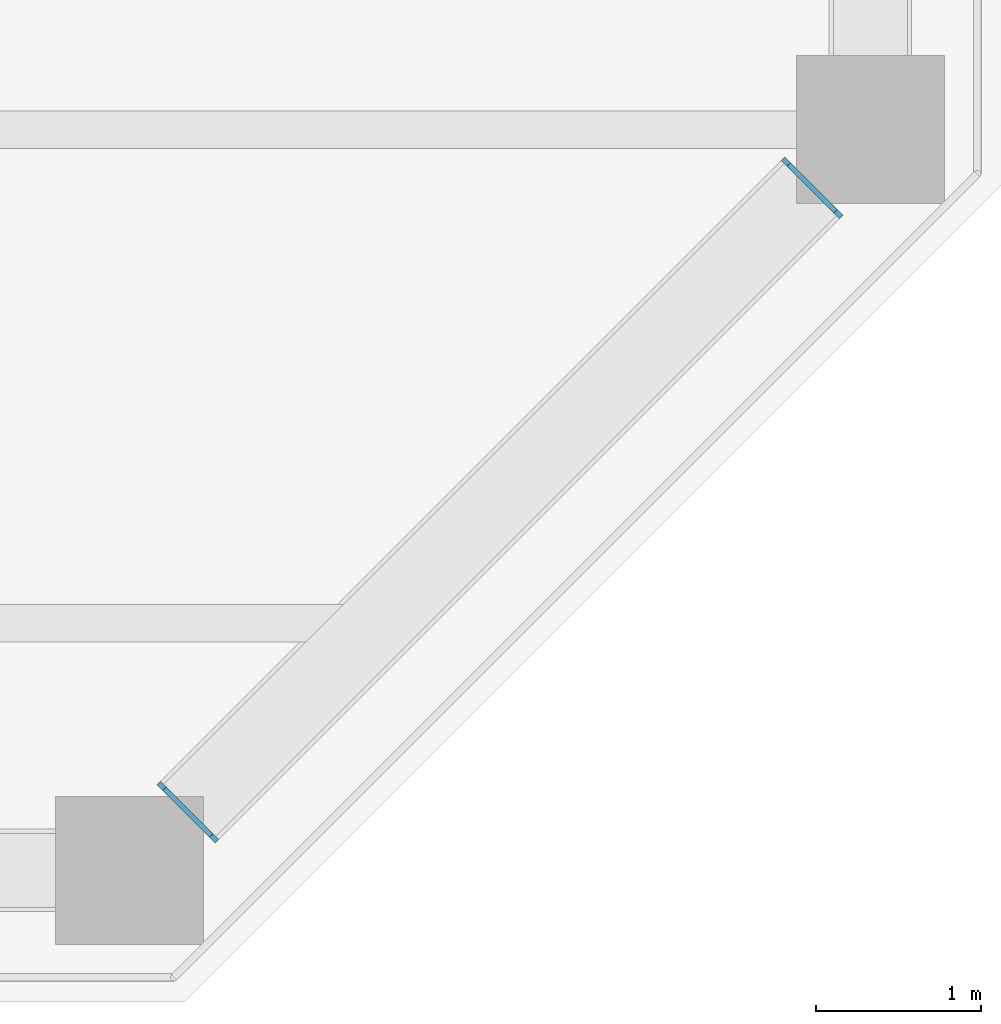
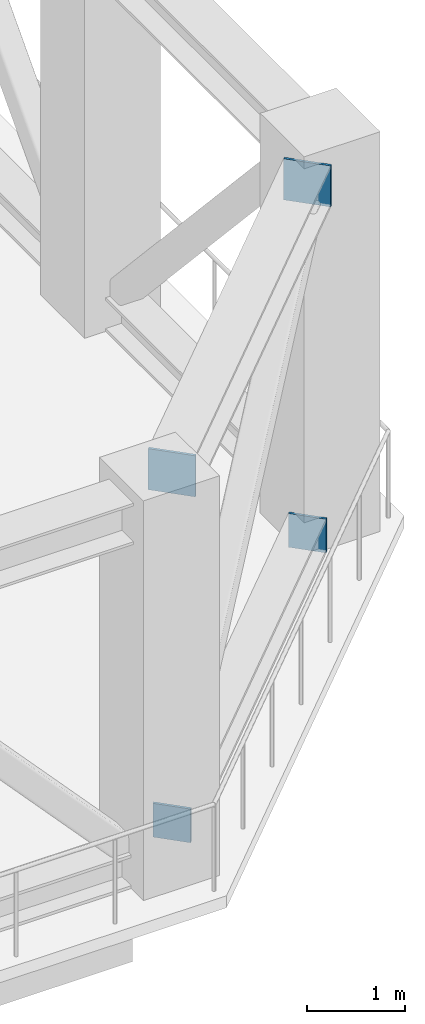
# One storey, part 9 of 13: 4 discrete accessories.
"""IFC4 building model written with IfcOpenShell, lengths in metres."""

from ifc_helpers import new_model, si_unit, direction, frame, origin, origin_2d, place, context, subcontext, project, spatial, rectangle, extrude, material, element, save


model = new_model("IFC4")

# Units and contexts
model_context = context("Model", 3, precision=1e-05, world=origin(), true_north=direction((0.0, 1.0)))
body_context = subcontext(model_context, "Body", "Model", "MODEL_VIEW")
ifc_project = project(units=[si_unit("LENGTHUNIT", "METRE"), si_unit("AREAUNIT", "SQUARE_METRE"), si_unit("VOLUMEUNIT", "CUBIC_METRE"), si_unit("PLANEANGLEUNIT", "RADIAN"), si_unit("MASSUNIT", "GRAM", prefix="KILO")], contexts=[model_context])

# Site, building, storey
site_placement = place(None, origin())
site = spatial("IfcSite", under=ifc_project, at=site_placement, CompositionType="ELEMENT")
building_placement = place(site_placement, origin())
building = spatial("IfcBuilding", under=site, at=building_placement, Name="Quoin Convention Tower", CompositionType="ELEMENT")
storey_placement = place(building_placement, frame((0.0, 0.0, 206.89990234375)))
storey = spatial("IfcBuildingStorey", under=building, at=storey_placement, Name="L54", CompositionType="ELEMENT", Elevation=206.89990234375)

# Discrete accessories
ifc_material = material(Name="Steel Grade 350", Category="steel")
for number, where, z_axis, x_axis, name in (
    (1, (72.3544921875, 40.8544921875, 0.0), (0.0, 0.0, 1.0), (-0.707106781187, -0.707106781187, 0.0), "TRUSS END PLATE TRS-L54-BC-72000_40500-76500_45000 A"),
    (2, (76.1455078125, 44.6455078125, 0.0), (0.0, 0.0, 1.0), (0.707106781187, 0.707106781187, 0.0), "TRUSS END PLATE TRS-L54-BC-72000_40500-76500_45000 B"),
):
    element("IfcDiscreteAccessory", number, at=place(storey_placement, frame(where, z_axis=z_axis, x_axis=x_axis)), inside=storey, material=ifc_material, Name=name, ObjectType="Truss end plate", PredefinedType="USERDEFINED", context=body_context, shape_type="SweptSolid", body=[
        extrude(rectangle(XDim=0.030029296875, YDim=0.39990234375, at=origin_2d()), origin(), (0.0, 0.0, 1.0), 0.422119140625),
    ])
for number, where, z_axis, x_axis, name in (
    (3, (72.3544921875, 40.8544921875, 4.3359375), (0.0, 0.0, 1.0), (-0.707106781187, -0.707106781187, 0.0), "TRUSS END PLATE TRS-L54-TC-72000_40500-76500_45000 A"),
    (4, (76.1455078125, 44.6455078125, 4.3359375), (0.0, 0.0, 1.0), (0.707106781187, 0.707106781187, 0.0), "TRUSS END PLATE TRS-L54-TC-72000_40500-76500_45000 B"),
):
    element("IfcDiscreteAccessory", number, at=place(storey_placement, frame(where, z_axis=z_axis, x_axis=x_axis)), inside=storey, material=ifc_material, Name=name, ObjectType="Truss end plate", PredefinedType="USERDEFINED", context=body_context, shape_type="SweptSolid", body=[
        extrude(rectangle(XDim=0.030029296875, YDim=0.5, at=origin_2d()), origin(), (0.0, 0.0, 1.0), 0.513916015625),
    ])

save(model, "model.ifc")
